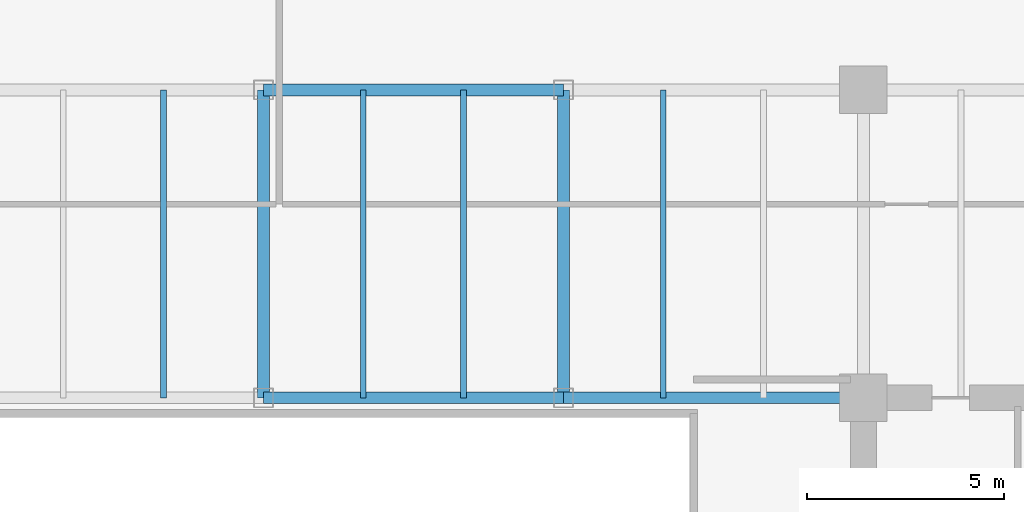
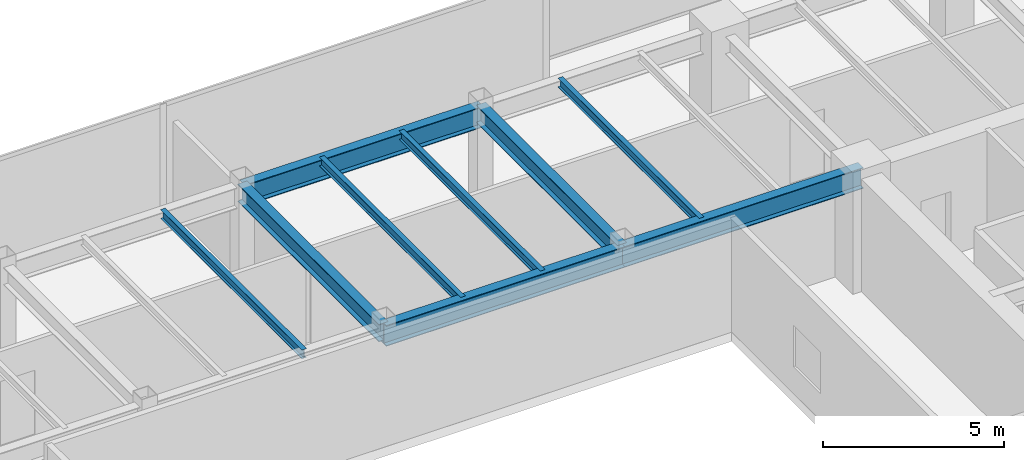
# One storey, part 17 of 30: 9 beams.
"""IFC4 building model written with IfcOpenShell, lengths in metres."""

from ifc_helpers import new_model, si_unit, direction, frame, origin, origin_2d, place, context, subcontext, project, spatial, i_section, extrude, source, transform, mapped, material, material_profile, profile_set, type_object, type_shapes, element, save


model = new_model("IFC4")

# Units and contexts
model_context = context("Model", 3, precision=1e-05, world=origin(), true_north=direction((0.0, 1.0)))
body_context = subcontext(model_context, "Body", "Model", "MODEL_VIEW")
ifc_project = project(units=[si_unit("LENGTHUNIT", "METRE"), si_unit("AREAUNIT", "SQUARE_METRE"), si_unit("VOLUMEUNIT", "CUBIC_METRE"), si_unit("PLANEANGLEUNIT", "RADIAN"), si_unit("MASSUNIT", "GRAM", prefix="KILO")], contexts=[model_context])

# Site, building, storey
site_placement = place(None, origin())
site = spatial("IfcSite", under=ifc_project, at=site_placement, CompositionType="ELEMENT")
building_placement = place(site_placement, origin())
building = spatial("IfcBuilding", under=site, at=building_placement, Name="Haelvirn Gate Laboratories", CompositionType="ELEMENT")
storey_placement = place(building_placement, frame((0.0, 0.0, 183.0)))
storey = spatial("IfcBuildingStorey", under=building, at=storey_placement, Name="L44", CompositionType="ELEMENT", Elevation=183.0)

# Beams
ifc_material = material(Name="Steel SM355", Category="steel")
ifc_material_profile_1 = material_profile(ifc_material, i_section(OverallWidth=0.300048828125, OverallDepth=0.699951171875, WebThickness=0.012939453125, FlangeThickness=0.02392578125, at=origin_2d()), Name="H-700x300x13x24")
ifc_profile_set_1 = profile_set([ifc_material_profile_1], Name="Steel SM355")
beam_type_1 = type_object("IfcBeamType", Name="BM-G-700", PredefinedType="BEAM", material=ifc_profile_set_1)
shared_shape_1 = source(origin(), body_context, "Body", "SweptSolid", [
    extrude(i_section(OverallWidth=0.300048828125, OverallDepth=0.699951171875, WebThickness=0.012939453125, FlangeThickness=0.02392578125, at=origin_2d()), origin(), (0.0, 0.0, 1.0), 7.60009765625),
])
type_shapes(beam_type_1, [shared_shape_1])
for number, where, z_axis, x_axis, name in (
    (1, (37.39990234375, 33.800048828125, 3.43994140625), (1.0, 0.0, 0.0), (0.0, 1.0, 0.0), "L44 Primary Girder Y33.8 (37.4-45.0)"),
    (2, (45.0, 33.800048828125, 3.43994140625), (1.0, 0.0, 0.0), (0.0, 1.0, 0.0), "L44 Primary Girder Y33.8 (45.0-52.6)"),
    (3, (37.39990234375, 41.60009765625, 3.43994140625), (1.0, 0.0, 0.0), (0.0, 1.0, 0.0), "L44 Primary Girder Y41.6 (37.4-45.0)"),
):
    element("IfcBeam", number, at=place(storey_placement, frame(where, z_axis=z_axis, x_axis=x_axis)), inside=storey, type_object=beam_type_1, Name=name, PredefinedType="BEAM", context=body_context, shape_type="MappedRepresentation", body=[
        mapped(shared_shape_1, transform((0.0, 0.0, 0.0), scale=1.0)),
    ])
ifc_material_profile_2 = material_profile(ifc_material, i_section(OverallWidth=0.14990234375, OverallDepth=0.300048828125, WebThickness=0.006591796875, FlangeThickness=0.009033203125, at=origin_2d()), Name="H-300x150x6.5x9")
ifc_profile_set_2 = profile_set([ifc_material_profile_2], Name="Steel SM355")
beam_type_2 = type_object("IfcBeamType", Name="BM-J-300", PredefinedType="JOIST", material=ifc_profile_set_2)
shared_shape_2 = source(origin(), body_context, "Body", "SweptSolid", [
    extrude(i_section(OverallWidth=0.14990234375, OverallDepth=0.300048828125, WebThickness=0.006591796875, FlangeThickness=0.009033203125, at=origin_2d()), origin(), (0.0, 0.0, 1.0), 7.800048828125),
])
type_shapes(beam_type_2, [shared_shape_2])
for number, where, z_axis, x_axis, name in (
    (4, (34.8701171875, 33.800048828125, 3.639892578125), (0.0, 1.0, 0.0), (-1.0, 0.0, 0.0), "L44 Composite Lab Joist North X34.87"),
    (5, (39.929931640625, 33.800048828125, 3.639892578125), (0.0, 1.0, 0.0), (-1.0, 0.0, 0.0), "L44 Composite Lab Joist North X39.93"),
    (6, (42.469970703125, 33.800048828125, 3.639892578125), (0.0, 1.0, 0.0), (-1.0, 0.0, 0.0), "L44 Composite Lab Joist North X42.47"),
    (7, (47.530029296875, 33.800048828125, 3.639892578125), (0.0, 1.0, 0.0), (-1.0, 0.0, 0.0), "L44 Composite Lab Joist North X47.53"),
):
    element("IfcBeam", number, at=place(storey_placement, frame(where, z_axis=z_axis, x_axis=x_axis)), inside=storey, type_object=beam_type_2, Name=name, PredefinedType="JOIST", context=body_context, shape_type="MappedRepresentation", body=[
        mapped(shared_shape_2, transform((0.0, 0.0, 0.0), scale=1.0)),
    ])
ifc_material_profile_3 = material_profile(ifc_material, i_section(OverallWidth=0.300048828125, OverallDepth=0.587890625, WebThickness=0.011962890625, FlangeThickness=0.02001953125, at=origin_2d()), Name="H-588x300x12x20")
ifc_profile_set_3 = profile_set([ifc_material_profile_3], Name="Steel SM355")
beam_type_3 = type_object("IfcBeamType", Name="BM-G-588", PredefinedType="BEAM", material=ifc_profile_set_3)
shared_shape_3 = source(origin(), body_context, "Body", "SweptSolid", [
    extrude(i_section(OverallWidth=0.300048828125, OverallDepth=0.587890625, WebThickness=0.011962890625, FlangeThickness=0.02001953125, at=origin_2d()), origin(), (0.0, 0.0, 1.0), 7.800048828125),
])
type_shapes(beam_type_3, [shared_shape_3])
for number, where, z_axis, x_axis, name in (
    (8, (37.39990234375, 33.800048828125, 3.49609375), (0.0, 1.0, 0.0), (-1.0, 0.0, 0.0), "L44 Frame Girder X37.4 (33.8-41.6)"),
    (9, (45.0, 33.800048828125, 3.49609375), (0.0, 1.0, 0.0), (-1.0, 0.0, 0.0), "L44 Frame Girder X45.0 (33.8-41.6)"),
):
    element("IfcBeam", number, at=place(storey_placement, frame(where, z_axis=z_axis, x_axis=x_axis)), inside=storey, type_object=beam_type_3, Name=name, PredefinedType="BEAM", context=body_context, shape_type="MappedRepresentation", body=[
        mapped(shared_shape_3, transform((0.0, 0.0, 0.0), scale=1.0)),
    ])

save(model, "model.ifc")
